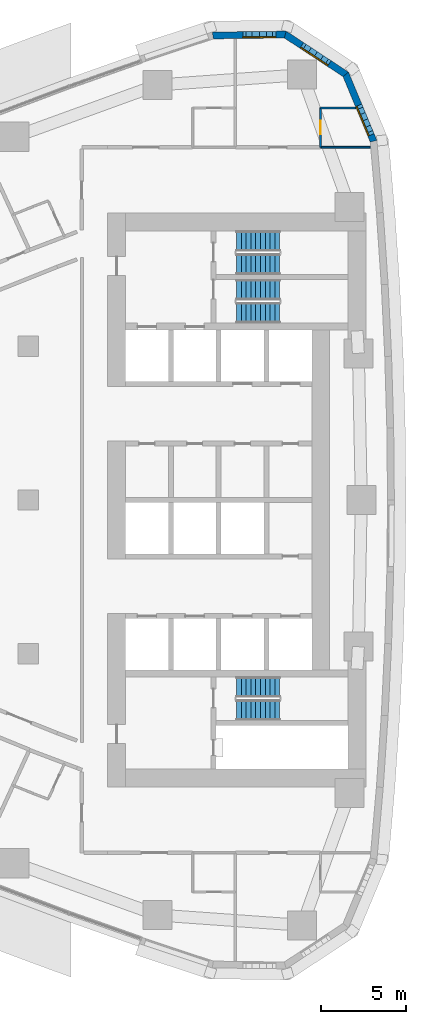
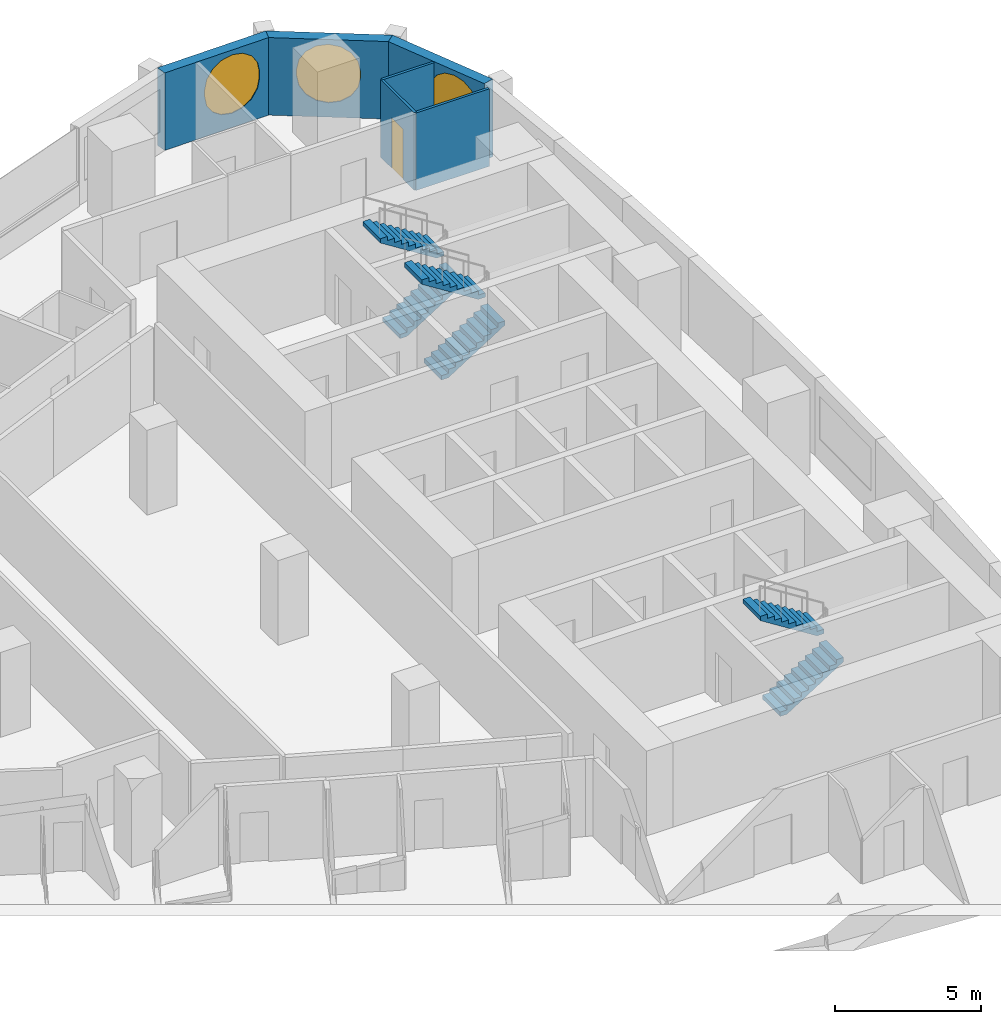
# One storey, part 13 of 17: 6 stair flights, 6 walls, 3 windows, 1 door, 4 openings, 3 elements without a shape of their own.
"""IFC4 building model written with IfcOpenShell, lengths in metres."""

from ifc_helpers import new_model, si_unit, direction, frame, frame_2d, origin, place, context, subcontext, project, spatial, polyline, rectangle, outline, extrude, material, layer, layer_set, type_object, element, fill, aggregate, save


model = new_model("IFC4")

# Units and contexts
model_context = context("Model", 3, precision=1e-05, world=origin(), true_north=direction((0.0, 1.0)))
body_context = subcontext(model_context, "Body", "Model", "MODEL_VIEW")
ifc_project = project(units=[si_unit("LENGTHUNIT", "METRE"), si_unit("AREAUNIT", "SQUARE_METRE"), si_unit("VOLUMEUNIT", "CUBIC_METRE"), si_unit("PLANEANGLEUNIT", "RADIAN"), si_unit("MASSUNIT", "GRAM", prefix="KILO")], contexts=[model_context])

# Site, building, storey
site_placement = place(None, origin())
site = spatial("IfcSite", under=ifc_project, at=site_placement, CompositionType="ELEMENT")
building_placement = place(site_placement, origin())
building = spatial("IfcBuilding", under=site, at=building_placement, Name="Ostrand Prow Hotel Tower", CompositionType="ELEMENT")
storey_placement = place(building_placement, frame((0.0, 0.0, 109.75)))
storey = spatial("IfcBuildingStorey", under=building, at=storey_placement, Name="L26", CompositionType="ELEMENT", Elevation=109.75)

# Wall, opening, door
ifc_material_1 = material(Name="Plasterboard partition")
ifc_layer_1 = layer(ifc_material_1, 0.10009765625)
ifc_layer_set_1 = layer_set([ifc_layer_1], Name="Plasterboard partition")
wall_type_1 = type_object("IfcWallType", Name="Partition 100 bathroom wall", PredefinedType="PARTITIONING", material=ifc_layer_set_1)
wall_1_placement = place(storey_placement, frame((62.111083984375, 20.64990234375, 0.0), z_axis=(0.0, 0.0, 1.0), x_axis=(0.0, 1.0, 0.0)))
wall_1 = element("IfcWall", 1, at=wall_1_placement, inside=storey, type_object=wall_type_1, Name="BATHROOM WALL", PredefinedType="PARTITIONING", context=body_context, shape_type="SweptSolid", body=[
    extrude(rectangle(XDim=2.300048828125, YDim=0.10009765625, at=frame_2d((1.14990234375, 0.0))), origin(), (0.0, 0.0, 1.0), 3.25),
])
opening_1_placement = place(wall_1_placement, frame((0.75, 0.0, 0.0)))
opening_1 = element("IfcOpeningElement", 2, at=opening_1_placement, cuts=wall_1, Name="Opening D2", PredefinedType="OPENING", context=body_context, shape_type="SweptSolid", body=[
    extrude(rectangle(XDim=0.800048828125, YDim=2.10009765625, at=frame_2d((0.39990234375, 1.050048828125))), frame((0.0, 0.06005859375, 0.0), z_axis=(0.0, -1.0, 0.0), x_axis=(1.0, 0.0, 0.0)), (0.0, 0.0, 1.0), 0.1201171875),
])
ifc_material_2 = material(Name="Timber door leaf", Category="wood")
door_type = type_object("IfcDoorType", Name="Bathroom door 800", OperationType="SINGLE_SWING_LEFT", PredefinedType="DOOR", material=ifc_material_2)
door_placement = place(opening_1_placement, origin())
door = element("IfcDoor", 3, at=door_placement, inside=storey, type_object=door_type, Name="DOOR", OperationType="SINGLE_SWING_LEFT", OverallHeight=2.10009765625, OverallWidth=0.800048828125, PredefinedType="DOOR", context=body_context, shape_type="SweptSolid", body=[
    extrude(rectangle(XDim=0.800048828125, YDim=2.10009765625, at=frame_2d((0.39990234375, 1.050048828125))), frame((0.0, 0.02490234375, 0.0), z_axis=(0.0, -1.0, 0.0), x_axis=(1.0, 0.0, 0.0)), (0.0, 0.0, 1.0), 0.050048828125),
])
fill(opening_1, door)

# Walls
wall_2_placement = place(storey_placement, frame((62.111083984375, 22.949951171875, 0.0), z_axis=(0.0, 0.0, 1.0), x_axis=(1.0, 0.0, 0.0)))
element("IfcWall", 4, at=wall_2_placement, inside=storey, type_object=wall_type_1, Name="BATHROOM WALL", PredefinedType="PARTITIONING", context=body_context, shape_type="SweptSolid", body=[
    extrude(rectangle(XDim=2.04931640625, YDim=0.10009765625, at=frame_2d((1.024658203125, 0.0))), origin(), (0.0, 0.0, 1.0), 3.25),
])
wall_3_placement = place(storey_placement, frame((65.016845703125, 20.655029296875, 0.0), z_axis=(0.0, 0.0, 1.0), x_axis=(-1.0, 0.0, 0.0)))
element("IfcWall", 5, at=wall_3_placement, inside=storey, type_object=wall_type_1, Name="BATHROOM WALL", PredefinedType="PARTITIONING", context=body_context, shape_type="SweptSolid", body=[
    extrude(rectangle(XDim=2.90576171875, YDim=0.10009765625, at=frame_2d((1.452880859375, 0.0))), origin(), (0.0, 0.0, 1.0), 3.25),
])

# Wall, opening, window
ifc_material_3 = material(Name="Precast concrete C40/50", Category="concrete")
ifc_layer_2 = layer(ifc_material_3, 0.39990234375)
ifc_layer_set_2 = layer_set([ifc_layer_2], Name="Precast concrete C40/50")
wall_type_2 = type_object("IfcWallType", Name="Stone-faced precast wall 400 mm", PredefinedType="NOTDEFINED", material=ifc_layer_set_2)
wall_4_placement = place(storey_placement, frame((65.21728515625, 21.001708984375, 0.0), z_axis=(0.0, 0.0, 1.0), x_axis=(-0.383997751971, 0.923334027577, 0.0)))
wall_4 = element("IfcWall", 6, at=wall_4_placement, inside=storey, type_object=wall_type_2, Name="Stone-faced wall back 15", PredefinedType="NOTDEFINED", context=body_context, shape_type="SweptSolid", body=[
    extrude(outline(polyline([(-0.031005859375, -0.199951171875), (4.300048828125, -0.199951171875), (4.177490234375, 0.199951171875), (0.031005859375, 0.199951171875), (-0.031005859375, -0.199951171875)])), origin(), (0.0, 0.0, 1.0), 3.25),
])
opening_2_placement = place(wall_4_placement, frame((0.28662109375, 0.0, 0.60009765625)))
opening_2 = element("IfcOpeningElement", 7, at=opening_2_placement, cuts=wall_4, Name="Opening WP1-21", PredefinedType="OPENING", context=body_context, shape_type="SweptSolid", body=[
    extrude(outline(polyline([(0.0, 1.39990234375), (0.079833984375, 1.8017578125), (0.3076171875, 2.142333984375), (0.648193359375, 2.3701171875), (1.050048828125, 2.449951171875), (1.451904296875, 2.3701171875), (1.79248046875, 2.142333984375), (2.020263671875, 1.8017578125), (2.10009765625, 1.39990234375), (2.10009765625, 1.050048828125), (2.020263671875, 0.648193359375), (1.79248046875, 0.3076171875), (1.451904296875, 0.079833984375), (1.050048828125, 0.0), (0.648193359375, 0.079833984375), (0.3076171875, 0.3076171875), (0.079833984375, 0.648193359375), (0.0, 1.050048828125), (0.0, 1.39990234375)])), frame((0.0, 0.2099609375, 0.0), z_axis=(0.0, -1.0, 0.0), x_axis=(1.0, 0.0, 0.0)), (0.0, 0.0, 1.0), 0.419921875),
])
ifc_material_4 = material(Name="Insulated glass in bronze frame", Category="glass")
window_type_1 = type_object("IfcWindowType", Name="Round-ended prow window 2100x2450", PartitioningType="SINGLE_PANEL", PredefinedType="WINDOW", material=ifc_material_4)
window_1_placement = place(opening_2_placement, origin())
window_1 = element("IfcWindow", 8, at=window_1_placement, inside=storey, type_object=window_type_1, Name="Window back 15.1", OverallHeight=2.449951171875, OverallWidth=2.10009765625, PartitioningType="SINGLE_PANEL", PredefinedType="WINDOW", context=body_context, shape_type="SweptSolid", body=[
    extrude(outline(polyline([(0.0, 1.39990234375), (0.079833984375, 1.8017578125), (0.3076171875, 2.142333984375), (0.648193359375, 2.3701171875), (1.050048828125, 2.449951171875), (1.451904296875, 2.3701171875), (1.79248046875, 2.142333984375), (2.020263671875, 1.8017578125), (2.10009765625, 1.39990234375), (2.10009765625, 1.050048828125), (2.020263671875, 0.648193359375), (1.79248046875, 0.3076171875), (1.451904296875, 0.079833984375), (1.050048828125, 0.0), (0.648193359375, 0.079833984375), (0.3076171875, 0.3076171875), (0.079833984375, 0.648193359375), (0.0, 1.050048828125), (0.0, 1.39990234375)])), frame((0.0, 0.169921875, 0.0), z_axis=(0.0, -1.0, 0.0), x_axis=(1.0, 0.0, 0.0)), (0.0, 0.0, 1.0), 0.06005859375),
])
fill(opening_2, window_1)

wall_5_placement = place(storey_placement, frame((63.589599609375, 24.91552734375, 0.0), z_axis=(0.0, 0.0, 1.0), x_axis=(-0.835340523653, 0.549732852887, 0.0)))
wall_5 = element("IfcWall", 9, at=wall_5_placement, inside=storey, type_object=wall_type_2, Name="Stone-faced wall back 16", PredefinedType="NOTDEFINED", context=body_context, shape_type="SweptSolid", body=[
    extrude(outline(polyline([(-0.061279296875, -0.199951171875), (4.30029296875, -0.199951171875), (4.177734375, 0.199951171875), (0.061279296875, 0.199951171875), (-0.061279296875, -0.199951171875)])), origin(), (0.0, 0.0, 1.0), 3.25),
])
opening_3_placement = place(wall_5_placement, frame((1.01953125, 0.0, 0.60009765625)))
opening_3 = element("IfcOpeningElement", 10, at=opening_3_placement, cuts=wall_5, Name="Opening WP1", PredefinedType="OPENING", context=body_context, shape_type="SweptSolid", body=[
    extrude(outline(polyline([(0.0, 1.35009765625), (0.083740234375, 1.77099609375), (0.322265625, 2.127685546875), (0.678955078125, 2.3662109375), (1.10009765625, 2.449951171875), (1.52099609375, 2.3662109375), (1.877685546875, 2.127685546875), (2.1162109375, 1.77099609375), (2.199951171875, 1.35009765625), (2.199951171875, 1.10009765625), (2.1162109375, 0.678955078125), (1.877685546875, 0.322265625), (1.52099609375, 0.083740234375), (1.10009765625, 0.0), (0.678955078125, 0.083740234375), (0.322265625, 0.322265625), (0.083740234375, 0.678955078125), (0.0, 1.099853515625), (0.0, 1.35009765625)])), frame((0.0, 0.2099609375, 0.0), z_axis=(0.0, -1.0, 0.0), x_axis=(1.0, 0.0, 0.0)), (0.0, 0.0, 1.0), 0.419921875),
])
ifc_material_5 = material(Name="Insulated glass in bronze frame", Category="glass")
window_type_2 = type_object("IfcWindowType", Name="Round-ended prow window 2200x2450", PartitioningType="SINGLE_PANEL", PredefinedType="WINDOW", material=ifc_material_5)
window_2_placement = place(opening_3_placement, origin())
window_2 = element("IfcWindow", 11, at=window_2_placement, inside=storey, type_object=window_type_2, Name="Window back 16.1", OverallHeight=2.449951171875, OverallWidth=2.199951171875, PartitioningType="SINGLE_PANEL", PredefinedType="WINDOW", context=body_context, shape_type="SweptSolid", body=[
    extrude(outline(polyline([(0.0, 1.35009765625), (0.083740234375, 1.77099609375), (0.322265625, 2.127685546875), (0.678955078125, 2.3662109375), (1.10009765625, 2.449951171875), (1.52099609375, 2.3662109375), (1.877685546875, 2.127685546875), (2.1162109375, 1.77099609375), (2.199951171875, 1.35009765625), (2.199951171875, 1.10009765625), (2.1162109375, 0.678955078125), (1.877685546875, 0.322265625), (1.52099609375, 0.083740234375), (1.10009765625, 0.0), (0.678955078125, 0.083740234375), (0.322265625, 0.322265625), (0.083740234375, 0.678955078125), (0.0, 1.099853515625), (0.0, 1.35009765625)])), frame((0.0, 0.169921875, 0.0), z_axis=(0.0, -1.0, 0.0), x_axis=(1.0, 0.0, 0.0)), (0.0, 0.0, 1.0), 0.06005859375),
])
fill(opening_3, window_2)

wall_6_placement = place(storey_placement, frame((60.048583984375, 27.245849609375, 0.0), z_axis=(0.0, 0.0, 1.0), x_axis=(-0.999919718849, -0.012671063772, 0.0)))
wall_6 = element("IfcWall", 12, at=wall_6_placement, inside=storey, type_object=wall_type_2, Name="Stone-faced wall back 17", PredefinedType="NOTDEFINED", context=body_context, shape_type="SweptSolid", body=[
    extrude(outline(polyline([(-0.061279296875, -0.199951171875), (4.269775390625, -0.199951171875), (4.207763671875, 0.199951171875), (0.061279296875, 0.199951171875), (-0.061279296875, -0.199951171875)])), origin(), (0.0, 0.0, 1.0), 3.25),
])
opening_4_placement = place(wall_6_placement, frame((0.418212890625, 0.0, 0.60009765625)))
opening_4 = element("IfcOpeningElement", 13, at=opening_4_placement, cuts=wall_6, Name="Opening WP1", PredefinedType="OPENING", context=body_context, shape_type="SweptSolid", body=[
    extrude(outline(polyline([(0.0, 1.35009765625), (0.083740234375, 1.77099609375), (0.322265625, 2.127685546875), (0.678955078125, 2.3662109375), (1.10009765625, 2.449951171875), (1.52099609375, 2.3662109375), (1.877685546875, 2.127685546875), (2.1162109375, 1.77099609375), (2.199951171875, 1.35009765625), (2.199951171875, 1.10009765625), (2.1162109375, 0.678955078125), (1.877685546875, 0.322265625), (1.52099609375, 0.083740234375), (1.10009765625, 0.0), (0.678955078125, 0.083740234375), (0.322265625, 0.322265625), (0.083740234375, 0.678955078125), (0.0, 1.099853515625), (0.0, 1.35009765625)])), frame((0.0, 0.2099609375, 0.0), z_axis=(0.0, -1.0, 0.0), x_axis=(1.0, 0.0, 0.0)), (0.0, 0.0, 1.0), 0.419921875),
])
window_3_placement = place(opening_4_placement, origin())
window_3 = element("IfcWindow", 14, at=window_3_placement, inside=storey, type_object=window_type_2, Name="Window back 17.1", OverallHeight=2.449951171875, OverallWidth=2.199951171875, PartitioningType="SINGLE_PANEL", PredefinedType="WINDOW", context=body_context, shape_type="SweptSolid", body=[
    extrude(outline(polyline([(0.0, 1.35009765625), (0.083740234375, 1.77099609375), (0.322265625, 2.127685546875), (0.678955078125, 2.3662109375), (1.10009765625, 2.449951171875), (1.52099609375, 2.3662109375), (1.877685546875, 2.127685546875), (2.1162109375, 1.77099609375), (2.199951171875, 1.35009765625), (2.199951171875, 1.10009765625), (2.1162109375, 0.678955078125), (1.877685546875, 0.322265625), (1.52099609375, 0.083740234375), (1.10009765625, 0.0), (0.678955078125, 0.083740234375), (0.322265625, 0.322265625), (0.083740234375, 0.678955078125), (0.0, 1.099853515625), (0.0, 1.35009765625)])), frame((0.0, 0.169921875, 0.0), z_axis=(0.0, -1.0, 0.0), x_axis=(1.0, 0.0, 0.0)), (0.0, 0.0, 1.0), 0.06005859375),
])
fill(opening_4, window_3)

# Stair, stair flights
ifc_material_6 = material(Name="Concrete C40/50", Category="concrete")
stair_type = type_object("IfcStairType", Name="Exit stair 1200 upper zone", PredefinedType="HALF_TURN_STAIR", material=ifc_material_6)
stair_1_placement = place(storey_placement, origin())
stair_1 = element("IfcStair", 15, at=stair_1_placement, inside=storey, type_object=stair_type, Name="L26 ST1C", PredefinedType="HALF_TURN_STAIR")
ifc_material_7 = material(Name="Concrete C40/50", Category="concrete")
stair_flight_type = type_object("IfcStairFlightType", Name="Stair flight 1200 concrete", PredefinedType="STRAIGHT", material=ifc_material_7)
stair_flight_1_placement = place(storey_placement, frame((57.199951171875, 10.949951171875, 0.0), z_axis=(0.0, 0.0, 1.0), x_axis=(1.0, 0.0, 0.0)))
stair_flight_1 = element("IfcStairFlight", 16, at=stair_flight_1_placement, type_object=stair_flight_type, Name="ST1C flight 1", NumberOfRisers=10, NumberOfTreads=9, PredefinedType="STRAIGHT", RiserHeight=0.1775, TreadLength=0.28, context=body_context, shape_type="SweptSolid", body=[
    extrude(outline(polyline([(0.0, 0.0), (0.0, 0.177490234375), (0.280029296875, 0.177490234375), (0.280029296875, 0.35498046875), (0.56005859375, 0.35498046875), (0.56005859375, 0.532470703125), (0.840087890625, 0.532470703125), (0.840087890625, 0.7099609375), (1.1201171875, 0.7099609375), (1.1201171875, 0.887451171875), (1.39990234375, 0.887451171875), (1.39990234375, 1.06494140625), (1.679931640625, 1.06494140625), (1.679931640625, 1.242431640625), (1.9599609375, 1.242431640625), (1.9599609375, 1.419921875), (2.239990234375, 1.419921875), (2.239990234375, 1.597412109375), (2.52001953125, 1.597412109375), (2.52001953125, 1.77490234375), (2.52001953125, 1.419921875), (0.280029296875, 0.0), (0.0, 0.0)])), frame((0.0, 0.60009765625, 0.0), z_axis=(0.0, -1.0, 0.0), x_axis=(1.0, 0.0, 0.0)), (0.0, 0.0, 1.0), 1.199951171875),
])
stair_flight_2_placement = place(storey_placement, frame((59.719970703125, 12.300048828125, 1.77490234375), z_axis=(0.0, 0.0, 1.0), x_axis=(-1.0, 0.0, 0.0)))
stair_flight_2 = element("IfcStairFlight", 17, at=stair_flight_2_placement, type_object=stair_flight_type, Name="ST1C flight 2", NumberOfRisers=10, NumberOfTreads=9, PredefinedType="STRAIGHT", RiserHeight=0.1775, TreadLength=0.28, context=body_context, shape_type="SweptSolid", body=[
    extrude(outline(polyline([(0.0, 0.0), (0.0, 0.177490234375), (0.280029296875, 0.177490234375), (0.280029296875, 0.35498046875), (0.56005859375, 0.35498046875), (0.56005859375, 0.532470703125), (0.840087890625, 0.532470703125), (0.840087890625, 0.7099609375), (1.1201171875, 0.7099609375), (1.1201171875, 0.887451171875), (1.39990234375, 0.887451171875), (1.39990234375, 1.06494140625), (1.679931640625, 1.06494140625), (1.679931640625, 1.242431640625), (1.9599609375, 1.242431640625), (1.9599609375, 1.419921875), (2.239990234375, 1.419921875), (2.239990234375, 1.597412109375), (2.52001953125, 1.597412109375), (2.52001953125, 1.77490234375), (2.52001953125, 1.419921875), (0.280029296875, 0.0), (0.0, 0.0)])), frame((0.0, 0.60009765625, 0.0), z_axis=(0.0, -1.0, 0.0), x_axis=(1.0, 0.0, 0.0)), (0.0, 0.0, 1.0), 1.199951171875),
])
aggregate(stair_1, [stair_flight_1, stair_flight_2])

stair_2_placement = place(storey_placement, origin())
stair_2 = element("IfcStair", 18, at=stair_2_placement, inside=storey, type_object=stair_type, Name="L26 ST3C", PredefinedType="HALF_TURN_STAIR")
stair_flight_3_placement = place(storey_placement, frame((57.199951171875, 13.800048828125, 0.0), z_axis=(0.0, 0.0, 1.0), x_axis=(1.0, 0.0, 0.0)))
stair_flight_3 = element("IfcStairFlight", 19, at=stair_flight_3_placement, type_object=stair_flight_type, Name="ST3C flight 1", NumberOfRisers=10, NumberOfTreads=9, PredefinedType="STRAIGHT", RiserHeight=0.1775, TreadLength=0.28, context=body_context, shape_type="SweptSolid", body=[
    extrude(outline(polyline([(0.0, 0.0), (0.0, 0.177490234375), (0.280029296875, 0.177490234375), (0.280029296875, 0.35498046875), (0.56005859375, 0.35498046875), (0.56005859375, 0.532470703125), (0.840087890625, 0.532470703125), (0.840087890625, 0.7099609375), (1.1201171875, 0.7099609375), (1.1201171875, 0.887451171875), (1.39990234375, 0.887451171875), (1.39990234375, 1.06494140625), (1.679931640625, 1.06494140625), (1.679931640625, 1.242431640625), (1.9599609375, 1.242431640625), (1.9599609375, 1.419921875), (2.239990234375, 1.419921875), (2.239990234375, 1.597412109375), (2.52001953125, 1.597412109375), (2.52001953125, 1.77490234375), (2.52001953125, 1.419921875), (0.280029296875, 0.0), (0.0, 0.0)])), frame((0.0, 0.60009765625, 0.0), z_axis=(0.0, -1.0, 0.0), x_axis=(1.0, 0.0, 0.0)), (0.0, 0.0, 1.0), 1.199951171875),
])
stair_flight_4_placement = place(storey_placement, frame((59.719970703125, 15.14990234375, 1.77490234375), z_axis=(0.0, 0.0, 1.0), x_axis=(-1.0, 0.0, 0.0)))
stair_flight_4 = element("IfcStairFlight", 20, at=stair_flight_4_placement, type_object=stair_flight_type, Name="ST3C flight 2", NumberOfRisers=10, NumberOfTreads=9, PredefinedType="STRAIGHT", RiserHeight=0.1775, TreadLength=0.28, context=body_context, shape_type="SweptSolid", body=[
    extrude(outline(polyline([(0.0, 0.0), (0.0, 0.177490234375), (0.280029296875, 0.177490234375), (0.280029296875, 0.35498046875), (0.56005859375, 0.35498046875), (0.56005859375, 0.532470703125), (0.840087890625, 0.532470703125), (0.840087890625, 0.7099609375), (1.1201171875, 0.7099609375), (1.1201171875, 0.887451171875), (1.39990234375, 0.887451171875), (1.39990234375, 1.06494140625), (1.679931640625, 1.06494140625), (1.679931640625, 1.242431640625), (1.9599609375, 1.242431640625), (1.9599609375, 1.419921875), (2.239990234375, 1.419921875), (2.239990234375, 1.597412109375), (2.52001953125, 1.597412109375), (2.52001953125, 1.77490234375), (2.52001953125, 1.419921875), (0.280029296875, 0.0), (0.0, 0.0)])), frame((0.0, 0.60009765625, 0.0), z_axis=(0.0, -1.0, 0.0), x_axis=(1.0, 0.0, 0.0)), (0.0, 0.0, 1.0), 1.199951171875),
])
aggregate(stair_2, [stair_flight_3, stair_flight_4])

stair_3_placement = place(storey_placement, origin())
stair_3 = element("IfcStair", 21, at=stair_3_placement, inside=storey, type_object=stair_type, Name="L26 ST2C", PredefinedType="HALF_TURN_STAIR")
stair_flight_5_placement = place(storey_placement, frame((57.199951171875, -12.300048828125, 0.0), z_axis=(0.0, 0.0, 1.0), x_axis=(1.0, 0.0, 0.0)))
stair_flight_5 = element("IfcStairFlight", 22, at=stair_flight_5_placement, type_object=stair_flight_type, Name="ST2C flight 1", NumberOfRisers=10, NumberOfTreads=9, PredefinedType="STRAIGHT", RiserHeight=0.1775, TreadLength=0.28, context=body_context, shape_type="SweptSolid", body=[
    extrude(outline(polyline([(0.0, 0.0), (0.0, 0.177490234375), (0.280029296875, 0.177490234375), (0.280029296875, 0.35498046875), (0.56005859375, 0.35498046875), (0.56005859375, 0.532470703125), (0.840087890625, 0.532470703125), (0.840087890625, 0.7099609375), (1.1201171875, 0.7099609375), (1.1201171875, 0.887451171875), (1.39990234375, 0.887451171875), (1.39990234375, 1.06494140625), (1.679931640625, 1.06494140625), (1.679931640625, 1.242431640625), (1.9599609375, 1.242431640625), (1.9599609375, 1.419921875), (2.239990234375, 1.419921875), (2.239990234375, 1.597412109375), (2.52001953125, 1.597412109375), (2.52001953125, 1.77490234375), (2.52001953125, 1.419921875), (0.280029296875, 0.0), (0.0, 0.0)])), frame((0.0, 0.60009765625, 0.0), z_axis=(0.0, -1.0, 0.0), x_axis=(1.0, 0.0, 0.0)), (0.0, 0.0, 1.0), 1.199951171875),
])
stair_flight_6_placement = place(storey_placement, frame((59.719970703125, -10.949951171875, 1.77490234375), z_axis=(0.0, 0.0, 1.0), x_axis=(-1.0, 0.0, 0.0)))
stair_flight_6 = element("IfcStairFlight", 23, at=stair_flight_6_placement, type_object=stair_flight_type, Name="ST2C flight 2", NumberOfRisers=10, NumberOfTreads=9, PredefinedType="STRAIGHT", RiserHeight=0.1775, TreadLength=0.28, context=body_context, shape_type="SweptSolid", body=[
    extrude(outline(polyline([(0.0, 0.0), (0.0, 0.177490234375), (0.280029296875, 0.177490234375), (0.280029296875, 0.35498046875), (0.56005859375, 0.35498046875), (0.56005859375, 0.532470703125), (0.840087890625, 0.532470703125), (0.840087890625, 0.7099609375), (1.1201171875, 0.7099609375), (1.1201171875, 0.887451171875), (1.39990234375, 0.887451171875), (1.39990234375, 1.06494140625), (1.679931640625, 1.06494140625), (1.679931640625, 1.242431640625), (1.9599609375, 1.242431640625), (1.9599609375, 1.419921875), (2.239990234375, 1.419921875), (2.239990234375, 1.597412109375), (2.52001953125, 1.597412109375), (2.52001953125, 1.77490234375), (2.52001953125, 1.419921875), (0.280029296875, 0.0), (0.0, 0.0)])), frame((0.0, 0.60009765625, 0.0), z_axis=(0.0, -1.0, 0.0), x_axis=(1.0, 0.0, 0.0)), (0.0, 0.0, 1.0), 1.199951171875),
])
aggregate(stair_3, [stair_flight_5, stair_flight_6])

save(model, "model.ifc")
